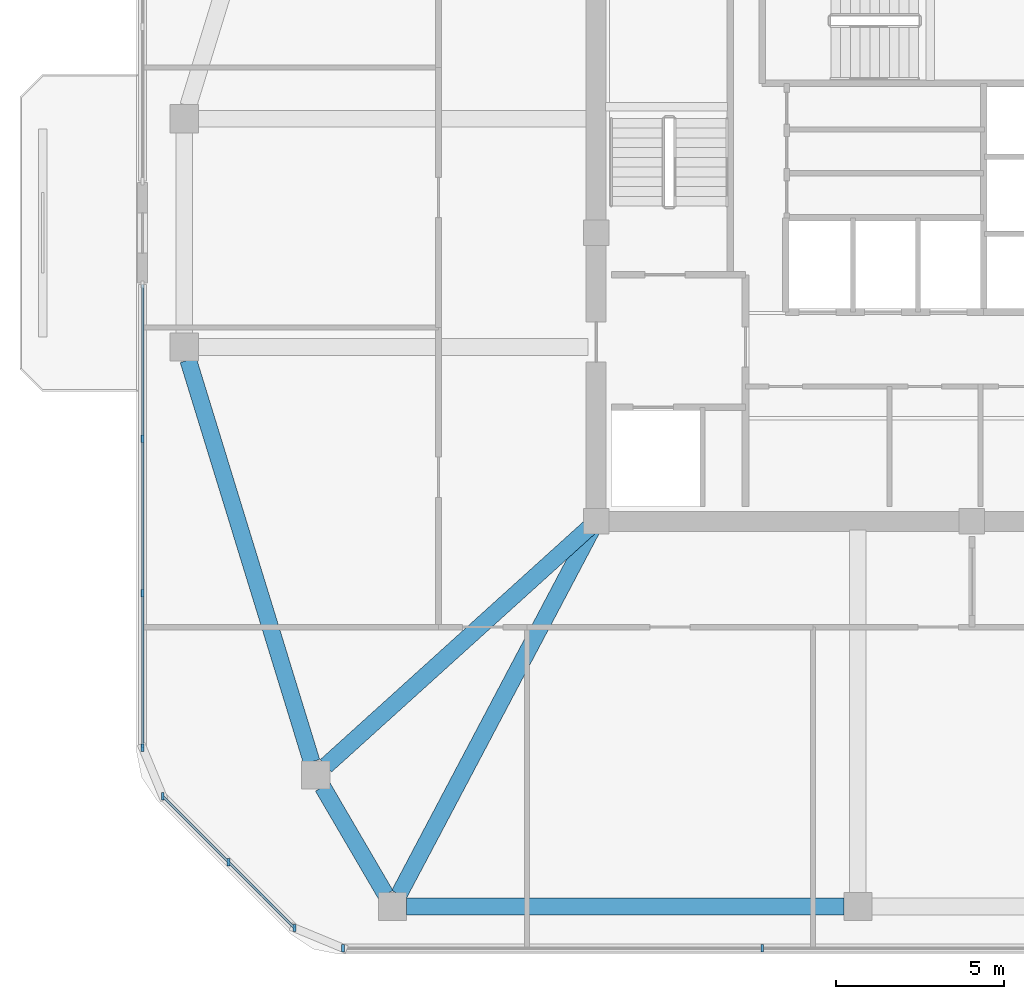
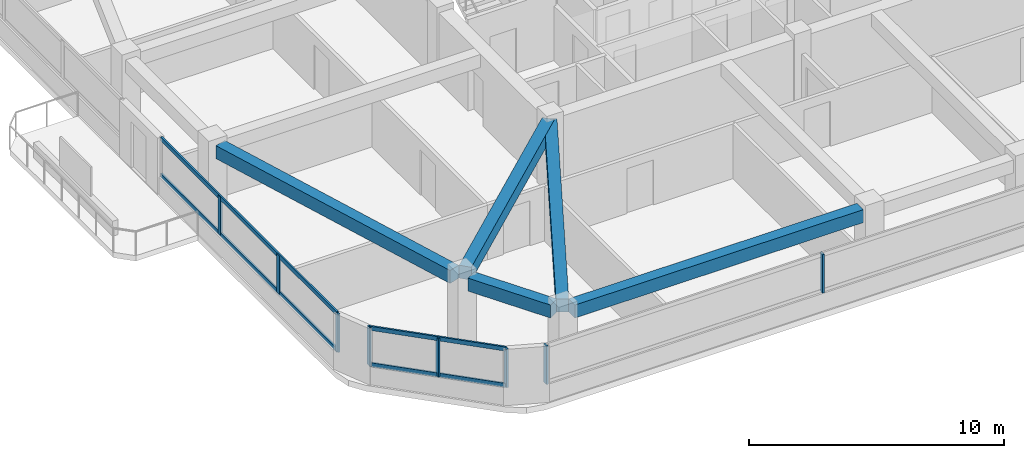
# One storey, part 2 of 13: 12 members, 5 beams, 3 elements without a shape of their own.
"""IFC4 building model written with IfcOpenShell, lengths in metres."""

import ifcopenshell
import ifcopenshell.guid

model = None  # the IFC model being written
_history = None  # IfcOwnerHistory: only IFC2X3 demands one
_inside = {}  # id of a spatial element -> (the spatial element, [elements in it])
_under = {}  # id of a project, library or spatial element -> (it, [spatial elements below it])
_declared = {}  # id of a project -> (the project, [libraries it declares])
_typed = {}  # id of a type object -> (the type object, [elements of that type])
_made_of = {}  # id of a material, layer set ... -> (it, [elements and type objects made of it])


def new_model(schema):
    """Start an empty IFC model of exactly this schema.

    Asked for "IFC4X3", IfcOpenShell would pick the latest addendum, in which some entities
    have other attributes; the version numbers below select the first issue.
    IFC2X3 requires an IfcOwnerHistory on every rooted entity: one is made here for all.
    """
    global model, _history
    if schema == "IFC4X3":
        model = ifcopenshell.file(schema_version=(4, 3, 0, 0))
    else:
        model = ifcopenshell.file(schema=schema)
    _inside.clear()
    _under.clear()
    _declared.clear()
    _typed.clear()
    _made_of.clear()
    _history = None
    if model.schema == "IFC2X3":
        org = make("IfcOrganization", Name="unknown")
        user = make(
            "IfcPersonAndOrganization",
            ThePerson=make("IfcPerson", FamilyName="unknown"),
            TheOrganization=org,
        )
        app = make(
            "IfcApplication",
            ApplicationDeveloper=org,
            Version="unknown",
            ApplicationFullName="unknown",
            ApplicationIdentifier="unknown",
        )
        _history = make(
            "IfcOwnerHistory",
            OwningUser=user,
            OwningApplication=app,
            ChangeAction="ADDED",
            CreationDate=0,
        )
    return model


def make(cls, **values):
    """One entity of the class cls with the attributes given. An attribute that is None is left unset."""
    return model.create_entity(
        cls, **{name: value for name, value in values.items() if value is not None}
    )


def rooted(cls, **values):
    """An entity with a GlobalId (a new one), such as an element, a storey or a relation."""
    return make(cls, GlobalId=ifcopenshell.guid.new(), OwnerHistory=_history, **values)


def si_unit(unit_type, name, prefix=None):
    """IfcSIUnit, for example si_unit("LENGTHUNIT", "METRE", prefix="MILLI")."""
    return make("IfcSIUnit", UnitType=unit_type, Prefix=prefix, Name=name)


def derived_unit(unit_type, elements):
    """IfcDerivedUnit: a product of units, each with its exponent."""
    return make(
        "IfcDerivedUnit",
        Elements=[
            make("IfcDerivedUnitElement", Unit=unit, Exponent=power)
            for unit, power in elements
        ],
        UnitType=unit_type,
    )


def assignment(units):
    """IfcUnitAssignment: the units of a project."""
    return None if units is None else make("IfcUnitAssignment", Units=units)


def point(xyz):
    """IfcCartesianPoint."""
    return None if xyz is None else make("IfcCartesianPoint", Coordinates=xyz)


def direction(xyz):
    """IfcDirection."""
    return None if xyz is None else make("IfcDirection", DirectionRatios=xyz)


def frame(location, z_axis=None, x_axis=None):
    """IfcAxis2Placement3D, a coordinate frame: its origin and axes. An axis left out is left unset."""
    return make(
        "IfcAxis2Placement3D",
        Location=point(location),
        Axis=direction(z_axis),
        RefDirection=direction(x_axis),
    )


def frame_2d(location, x_axis=None):
    """IfcAxis2Placement2D, a coordinate frame in the plane: its origin and x axis."""
    return make(
        "IfcAxis2Placement2D", Location=point(location), RefDirection=direction(x_axis)
    )


def origin():
    """The frame at (0, 0, 0) with its axes left unset."""
    return frame((0.0, 0.0, 0.0))


def origin_2d():
    """The frame at (0, 0) in the plane with its x axis left unset."""
    return frame_2d((0.0, 0.0))


def place(relative_to, where):
    """IfcLocalPlacement: puts the frame where relative to a parent placement (None: the world)."""
    return make(
        "IfcLocalPlacement", PlacementRelTo=relative_to, RelativePlacement=where
    )


def context(
    kind, dimensions, precision=None, world=None, true_north=None, identifier=None
):
    """IfcGeometricRepresentationContext, for example the 3D "Model" context."""
    return make(
        "IfcGeometricRepresentationContext",
        ContextIdentifier=identifier,
        ContextType=kind,
        CoordinateSpaceDimension=dimensions,
        Precision=precision,
        WorldCoordinateSystem=world,
        TrueNorth=true_north,
    )


def subcontext(parent, identifier, kind, view, scale=None):
    """IfcGeometricRepresentationSubContext, for example "Body" below "Model"."""
    return make(
        "IfcGeometricRepresentationSubContext",
        ContextIdentifier=identifier,
        ContextType=kind,
        ParentContext=parent,
        TargetScale=scale,
        TargetView=view,
    )


def project(units=None, contexts=None):
    """IfcProject with its units and contexts."""
    return rooted(
        "IfcProject",
        Name="project",
        RepresentationContexts=contexts,
        UnitsInContext=assignment(units),
    )


def spatial(cls, under=None, at=None, **own):
    """A site, building, storey or space (cls), placed at a placement, below another one or the project."""
    s = rooted(cls, ObjectPlacement=at, **own)
    if under is not None:
        _under.setdefault(under.id(), (under, []))[1].append(s)
    return s


def profile(cls, at=None, kind="AREA", **sizes):
    """A parametric profile (cls). Its sizes go by their IFC names, for example OverallWidth=200.0."""
    return make(cls, ProfileType=kind, Position=at, **sizes)


def rectangle(**sizes):
    """IfcRectangleProfileDef."""
    return profile("IfcRectangleProfileDef", **sizes)


def extrude(swept, where, along, depth):
    """IfcExtrudedAreaSolid: the profile swept, set in the frame where, extruded along a direction by depth."""
    return make(
        "IfcExtrudedAreaSolid",
        SweptArea=swept,
        Position=where,
        ExtrudedDirection=direction(along),
        Depth=depth,
    )


def shape(context_of_items, identifier, shape_type, items):
    """IfcShapeRepresentation: the items that make up one representation, for example the "Body"."""
    return make(
        "IfcShapeRepresentation",
        ContextOfItems=context_of_items,
        RepresentationIdentifier=identifier,
        RepresentationType=shape_type,
        Items=items,
    )


def material(Name=None, Category=None):
    """IfcMaterial."""
    return make("IfcMaterial", Name=Name, Category=Category)


def material_profile(
    of_material, cross_section, Name=None, Category=None, Priority=None
):
    """IfcMaterialProfile: a cross section and its material."""
    return make(
        "IfcMaterialProfile",
        Name=Name,
        Material=of_material,
        Profile=cross_section,
        Priority=Priority,
        Category=Category,
    )


def profile_set(profiles, Name=None, composite=None):
    """IfcMaterialProfileSet."""
    return make(
        "IfcMaterialProfileSet",
        Name=Name,
        MaterialProfiles=profiles,
        CompositeProfile=composite,
    )


def made_of(thing, what):
    """Note that an element or type object is made of a material, layer set ...; save() writes the relation."""
    if what is not None:
        _made_of.setdefault(what.id(), (what, []))[1].append(thing)
    return thing


def type_object(cls, material=None, **own):
    """A type object (cls), such as IfcWallType, which elements share."""
    return made_of(rooted(cls, **own), material)


def element(
    cls,
    number,
    at=None,
    inside=None,
    cuts=None,
    type_object=None,
    material=None,
    context=None,
    identifier="Body",
    shape_type=None,
    held_by="IfcProductDefinitionShape",
    body=None,
    shapes=None,
    **own,
):
    """One element of the class cls, such as IfcWall. Its Tag is "e" and its number.

    at: its placement. inside: the storey or other place that contains it. cuts: it is an
    opening in that element (IfcRelVoidsElement). A single representation is given by context,
    identifier, shape_type and body (its items); several are given by shapes. held_by: the class
    of the entity that holds the representations. save() writes the other relations.
    """
    e = rooted(cls, Tag="e%d" % number, ObjectPlacement=at, **own)
    if body is not None:
        shapes = [shape(context, identifier, shape_type, body)]
    if shapes is not None:
        e.Representation = make(held_by, Representations=shapes)
    if inside is not None:
        _inside.setdefault(inside.id(), (inside, []))[1].append(e)
    if cuts is not None:
        rooted(
            "IfcRelVoidsElement", RelatingBuildingElement=cuts, RelatedOpeningElement=e
        )
    if type_object is not None:
        _typed.setdefault(type_object.id(), (type_object, []))[1].append(e)
    return made_of(e, material)


def aggregate(whole, parts):
    """IfcRelAggregates: a whole, such as a stair, and the parts it consists of."""
    return rooted("IfcRelAggregates", RelatingObject=whole, RelatedObjects=parts)


def save(model, path):
    """Write the relations noted so far, then the file.

    IfcRelAggregates (storeys below a building ...), IfcRelContainedInSpatialStructure (elements
    in a storey), IfcRelDefinesByType, IfcRelAssociatesMaterial and IfcRelDeclares: one each for
    every whole, place, type object, material and project.
    """
    for whole, parts in _under.values():
        aggregate(whole, parts)
    for where, things in _inside.values():
        rooted(
            "IfcRelContainedInSpatialStructure",
            RelatedElements=things,
            RelatingStructure=where,
        )
    for kind, things in _typed.values():
        rooted("IfcRelDefinesByType", RelatedObjects=things, RelatingType=kind)
    for what, things in _made_of.values():
        rooted("IfcRelAssociatesMaterial", RelatedObjects=things, RelatingMaterial=what)
    for by, libraries in _declared.values():
        rooted("IfcRelDeclares", RelatingContext=by, RelatedDefinitions=libraries)
    model.write(path)


model = new_model("IFC4")

# Units and contexts
model_context = context("Model", 3, precision=1e-05, world=origin(), true_north=direction((0.0, 1.0)))
body_context = subcontext(model_context, "Body", "Model", "MODEL_VIEW")
ifc_project = project(units=[si_unit("LENGTHUNIT", "METRE"), si_unit("AREAUNIT", "SQUARE_METRE"), si_unit("VOLUMEUNIT", "CUBIC_METRE"), si_unit("PLANEANGLEUNIT", "RADIAN"), si_unit("MASSUNIT", "GRAM", prefix="KILO"), derived_unit("THERMALTRANSMITTANCEUNIT", [(si_unit("POWERUNIT", "WATT"), 1), (si_unit("LENGTHUNIT", "METRE"), -2), (si_unit("THERMODYNAMICTEMPERATUREUNIT", "KELVIN"), -1)])], contexts=[model_context])

# Site, building, storey
site_placement = place(None, origin())
site = spatial("IfcSite", under=ifc_project, at=site_placement, CompositionType="ELEMENT")
building_placement = place(site_placement, origin())
building = spatial("IfcBuilding", under=site, at=building_placement, Name="Koralith Skygarden Medical Center", CompositionType="ELEMENT")
storey_placement = place(building_placement, frame((0.0, 0.0, 271.6201171875)))
storey = spatial("IfcBuildingStorey", under=building, at=storey_placement, Name="L70", CompositionType="ELEMENT", Elevation=271.6201171875)

# Curtain wall, members
ifc_material_1 = material(Name="Clear Laminated Glass", Category="glass")
curtain_wall_type = type_object("IfcCurtainWallType", Name="CW-6 Zone 5 Upper Clinical Curtain Wall", PredefinedType="NOTDEFINED", material=ifc_material_1)
curtain_wall_1_placement = place(storey_placement, origin())
curtain_wall_1 = element("IfcCurtainWall", 1, at=curtain_wall_1_placement, inside=storey, type_object=curtain_wall_type, Name="Curtain Wall CW-L70-S", PredefinedType="NOTDEFINED")
ifc_material_2 = material(Name="Aluminium 6063-T6", Category="aluminium")
ifc_material_profile_1 = material_profile(ifc_material_2, rectangle(XDim=0.0830078125, YDim=0.219970703125, at=origin_2d()), Name="MUL83X220")
ifc_profile_set_1 = profile_set([ifc_material_profile_1], Name="Aluminium 6063-T6")
member_type_1 = type_object("IfcMemberType", Name="CW-6 Extruded Mullion 83x220", PredefinedType="MULLION", material=ifc_profile_set_1)
member_1_placement = place(storey_placement, frame((18.2548828125, 4.580078125, 0.849853515625), z_axis=(0.0, 0.0, 1.0), x_axis=(1.0, 0.0, 0.0)))
member_1 = element("IfcMember", 2, at=member_1_placement, type_object=member_type_1, Name="CW-L70-S Mullion 1", PredefinedType="MULLION", context=body_context, shape_type="SweptSolid", body=[
    extrude(rectangle(XDim=0.0830078125, YDim=0.219970703125, at=origin_2d()), origin(), (0.0, 0.0, 1.0), 1.840087890625),
])
member_2_placement = place(storey_placement, frame((30.751953125, 4.580078125, 0.849853515625), z_axis=(0.0, 0.0, 1.0), x_axis=(1.0, 0.0, 0.0)))
member_2 = element("IfcMember", 3, at=member_2_placement, type_object=member_type_1, Name="CW-L70-S Mullion 2", PredefinedType="MULLION", context=body_context, shape_type="SweptSolid", body=[
    extrude(rectangle(XDim=0.0830078125, YDim=0.219970703125, at=origin_2d()), origin(), (0.0, 0.0, 1.0), 1.840087890625),
])
aggregate(curtain_wall_1, [member_1, member_2])

curtain_wall_2_placement = place(storey_placement, origin())
curtain_wall_2 = element("IfcCurtainWall", 4, at=curtain_wall_2_placement, inside=storey, type_object=curtain_wall_type, Name="Curtain Wall CW-L70-W-R", PredefinedType="NOTDEFINED")
member_3_placement = place(storey_placement, frame((12.280029296875, 19.758056640625, 0.849853515625), z_axis=(0.0, 0.0, 1.0), x_axis=(1.0, 0.0, 0.0)))
member_3 = element("IfcMember", 5, at=member_3_placement, type_object=member_type_1, Name="CW-L70-W-R Mullion 2", PredefinedType="MULLION", context=body_context, shape_type="SweptSolid", body=[
    extrude(rectangle(XDim=0.0830078125, YDim=0.219970703125, at=origin_2d()), origin(), (0.0, 0.0, 1.0), 1.840087890625),
])
member_4_placement = place(storey_placement, frame((12.280029296875, 15.156982421875, 0.849853515625), z_axis=(0.0, 0.0, 1.0), x_axis=(1.0, 0.0, 0.0)))
member_4 = element("IfcMember", 6, at=member_4_placement, type_object=member_type_1, Name="CW-L70-W-R Mullion 3", PredefinedType="MULLION", context=body_context, shape_type="SweptSolid", body=[
    extrude(rectangle(XDim=0.0830078125, YDim=0.219970703125, at=origin_2d()), origin(), (0.0, 0.0, 1.0), 1.840087890625),
])
member_5_placement = place(storey_placement, frame((12.280029296875, 10.554931640625, 0.849853515625), z_axis=(0.0, 0.0, 1.0), x_axis=(1.0, 0.0, 0.0)))
member_5 = element("IfcMember", 7, at=member_5_placement, type_object=member_type_1, Name="CW-L70-W-R Mullion 4", PredefinedType="MULLION", context=body_context, shape_type="SweptSolid", body=[
    extrude(rectangle(XDim=0.0830078125, YDim=0.219970703125, at=origin_2d()), origin(), (0.0, 0.0, 1.0), 1.840087890625),
])

curtain_wall_3_placement = place(storey_placement, origin())
curtain_wall_3 = element("IfcCurtainWall", 8, at=curtain_wall_3_placement, inside=storey, type_object=curtain_wall_type, Name="Curtain Wall CW-L70-SW", PredefinedType="NOTDEFINED")
member_6_placement = place(storey_placement, frame((12.881103515625, 9.10400390625, 0.849853515625), z_axis=(0.0, 0.0, 1.0), x_axis=(1.0, 0.0, 0.0)))
member_6 = element("IfcMember", 9, at=member_6_placement, type_object=member_type_1, Name="CW-L70-SW Mullion 1", PredefinedType="MULLION", context=body_context, shape_type="SweptSolid", body=[
    extrude(rectangle(XDim=0.0830078125, YDim=0.219970703125, at=origin_2d()), origin(), (0.0, 0.0, 1.0), 1.840087890625),
])
member_7_placement = place(storey_placement, frame((14.842041015625, 7.14306640625, 0.849853515625), z_axis=(0.0, 0.0, 1.0), x_axis=(1.0, 0.0, 0.0)))
member_7 = element("IfcMember", 10, at=member_7_placement, type_object=member_type_1, Name="CW-L70-SW Mullion 2", PredefinedType="MULLION", context=body_context, shape_type="SweptSolid", body=[
    extrude(rectangle(XDim=0.0830078125, YDim=0.219970703125, at=origin_2d()), origin(), (0.0, 0.0, 1.0), 1.840087890625),
])
member_8_placement = place(storey_placement, frame((16.803955078125, 5.180908203125, 0.849853515625), z_axis=(0.0, 0.0, 1.0), x_axis=(1.0, 0.0, 0.0)))
member_8 = element("IfcMember", 11, at=member_8_placement, type_object=member_type_1, Name="CW-L70-SW Mullion 3", PredefinedType="MULLION", context=body_context, shape_type="SweptSolid", body=[
    extrude(rectangle(XDim=0.0830078125, YDim=0.219970703125, at=origin_2d()), origin(), (0.0, 0.0, 1.0), 1.840087890625),
])

# Member
ifc_material_profile_2 = material_profile(ifc_material_2, rectangle(XDim=0.077880859375, YDim=0.197998046875, at=origin_2d()), Name="TRN78X198")
ifc_profile_set_2 = profile_set([ifc_material_profile_2], Name="Aluminium 6063-T6")
member_type_2 = type_object("IfcMemberType", Name="CW-6 Thermal Transom 78x198", PredefinedType="USERDEFINED", material=ifc_profile_set_2)
member_9_placement = place(storey_placement, frame((12.280029296875, 24.360107421875, 0.89990234375), z_axis=(0.0, -1.0, 0.0), x_axis=(1.0, 0.0, 0.0)))
member_9 = element("IfcMember", 12, at=member_9_placement, type_object=member_type_2, Name="CW-L70-W-R Transom 1", ObjectType="TRANSOM", PredefinedType="USERDEFINED", context=body_context, shape_type="SweptSolid", body=[
    extrude(rectangle(XDim=0.077880859375, YDim=0.197998046875, at=origin_2d()), origin(), (0.0, 0.0, 1.0), 13.80517578125),
])

member_10_placement = place(storey_placement, frame((12.280029296875, 24.360107421875, 2.639892578125), z_axis=(0.0, -1.0, 0.0), x_axis=(1.0, 0.0, 0.0)))
member_10 = element("IfcMember", 13, at=member_10_placement, type_object=member_type_2, Name="CW-L70-W-R Transom 2", ObjectType="TRANSOM", PredefinedType="USERDEFINED", context=body_context, shape_type="SweptSolid", body=[
    extrude(rectangle(XDim=0.077880859375, YDim=0.197998046875, at=origin_2d()), origin(), (0.0, 0.0, 1.0), 13.80517578125),
])

aggregate(curtain_wall_2, [member_3, member_4, member_5, member_9, member_10])

member_11_placement = place(storey_placement, frame((12.881103515625, 9.10400390625, 0.89990234375), z_axis=(0.707084777957, -0.707128783731, 0.0), x_axis=(0.707128783731, 0.707084777957, 0.0)))
member_11 = element("IfcMember", 14, at=member_11_placement, type_object=member_type_2, Name="CW-L70-SW Transom 1", ObjectType="TRANSOM", PredefinedType="USERDEFINED", context=body_context, shape_type="SweptSolid", body=[
    extrude(rectangle(XDim=0.077880859375, YDim=0.197998046875, at=origin_2d()), origin(), (0.0, 0.0, 1.0), 5.5478515625),
])

member_12_placement = place(storey_placement, frame((12.881103515625, 9.10400390625, 2.639892578125), z_axis=(0.707084777957, -0.707128783731, 0.0), x_axis=(0.707128783731, 0.707084777957, 0.0)))
member_12 = element("IfcMember", 15, at=member_12_placement, type_object=member_type_2, Name="CW-L70-SW Transom 2", ObjectType="TRANSOM", PredefinedType="USERDEFINED", context=body_context, shape_type="SweptSolid", body=[
    extrude(rectangle(XDim=0.077880859375, YDim=0.197998046875, at=origin_2d()), origin(), (0.0, 0.0, 1.0), 5.5478515625),
])

aggregate(curtain_wall_3, [member_6, member_7, member_8, member_11, member_12])

# Beams
ifc_material_3 = material(Name="Concrete C45/55", Category="concrete")
ifc_material_profile_3 = material_profile(ifc_material_3, rectangle(XDim=0.5, YDim=0.6201171875, at=origin_2d()), Name="RCB500X620")
ifc_profile_set_3 = profile_set([ifc_material_profile_3], Name="Concrete C45/55")
beam_type_1 = type_object("IfcBeamType", Name="Upper Radial Collector Beam RCB500X620", PredefinedType="BEAM", material=ifc_profile_set_3)
beam_1_placement = place(storey_placement, frame((25.614990234375, 17.132080078125, 3.009765625), z_axis=(-0.741736323186, -0.670691603397, 0.0), x_axis=(0.670691603397, -0.741736323186, 0.0)))
element("IfcBeam", 16, at=beam_1_placement, inside=storey, type_object=beam_type_1, Name="L70 Radial Collector Beam RB-02", PredefinedType="BEAM", context=body_context, shape_type="SweptSolid", body=[
    extrude(rectangle(XDim=0.5, YDim=0.6201171875, at=origin_2d()), origin(), (0.0, 0.0, 1.0), 10.61181640625),
])
beam_2_placement = place(storey_placement, frame((25.68310546875, 17.0791015625, 3.009765625), z_axis=(-0.46724871287, -0.884125918816, 0.0), x_axis=(0.884125918816, -0.46724871287, 0.0)))
element("IfcBeam", 17, at=beam_2_placement, inside=storey, type_object=beam_type_1, Name="L70 Radial Collector Beam RB-03", PredefinedType="BEAM", context=body_context, shape_type="SweptSolid", body=[
    extrude(rectangle(XDim=0.5, YDim=0.6201171875, at=origin_2d()), origin(), (0.0, 0.0, 1.0), 12.325439453125),
])
ifc_material_profile_4 = material_profile(ifc_material_3, rectangle(XDim=0.5, YDim=0.6201171875, at=origin_2d()), Name="RCB500X620")
ifc_profile_set_4 = profile_set([ifc_material_profile_4], Name="Concrete C45/55")
beam_type_2 = type_object("IfcBeamType", Name="Zone 4-5 Spandrel Beam RCB500X620", PredefinedType="SPANDREL", material=ifc_profile_set_4)
beam_3_placement = place(storey_placement, frame((13.639892578125, 22.10791015625, 3.009765625), z_axis=(0.293743494914, -0.955884281279, 0.0), x_axis=(0.955884281279, 0.293743494914, 0.0)))
element("IfcBeam", 18, at=beam_3_placement, inside=storey, type_object=beam_type_2, Name="L70 Perimeter Spandrel Beam SP-01", PredefinedType="SPANDREL", context=body_context, shape_type="SweptSolid", body=[
    extrude(rectangle(XDim=0.5, YDim=0.6201171875, at=origin_2d()), origin(), (0.0, 0.0, 1.0), 12.528564453125),
])
beam_4_placement = place(storey_placement, frame((17.64697265625, 9.385986328125, 3.009765625), z_axis=(0.50473571007, -0.863273921175, 0.0), x_axis=(0.863273921175, 0.50473571007, 0.0)))
element("IfcBeam", 19, at=beam_4_placement, inside=storey, type_object=beam_type_2, Name="L70 Perimeter Spandrel Beam SP-02", PredefinedType="SPANDREL", context=body_context, shape_type="SweptSolid", body=[
    extrude(rectangle(XDim=0.5, YDim=0.6201171875, at=origin_2d()), origin(), (0.0, 0.0, 1.0), 3.720703125),
])
beam_5_placement = place(storey_placement, frame((20.14208984375, 5.820068359375, 3.009765625), z_axis=(1.0, 0.0, 0.0), x_axis=(0.0, 1.0, 0.0)))
element("IfcBeam", 20, at=beam_5_placement, inside=storey, type_object=beam_type_2, Name="L70 Perimeter Spandrel Beam SP-03", PredefinedType="SPANDREL", context=body_context, shape_type="SweptSolid", body=[
    extrude(rectangle(XDim=0.5, YDim=0.6201171875, at=origin_2d()), origin(), (0.0, 0.0, 1.0), 13.0478515625),
])

save(model, "model.ifc")
